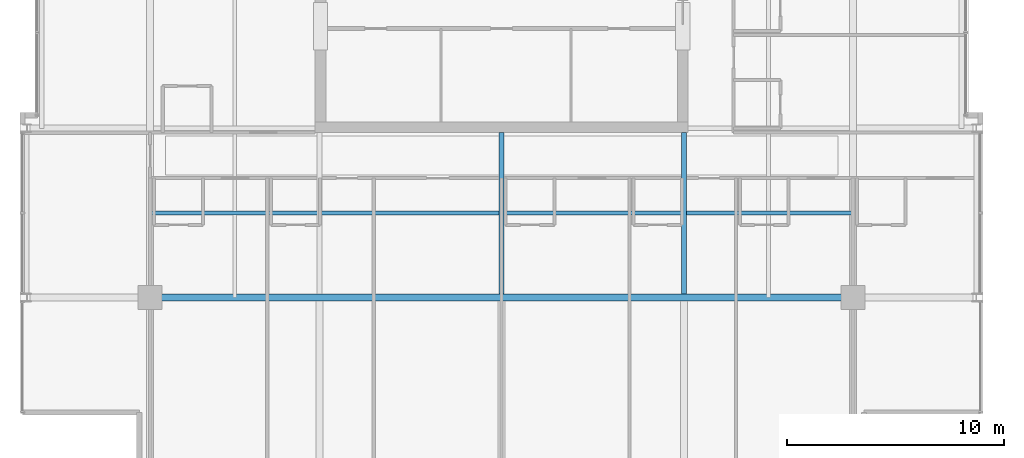
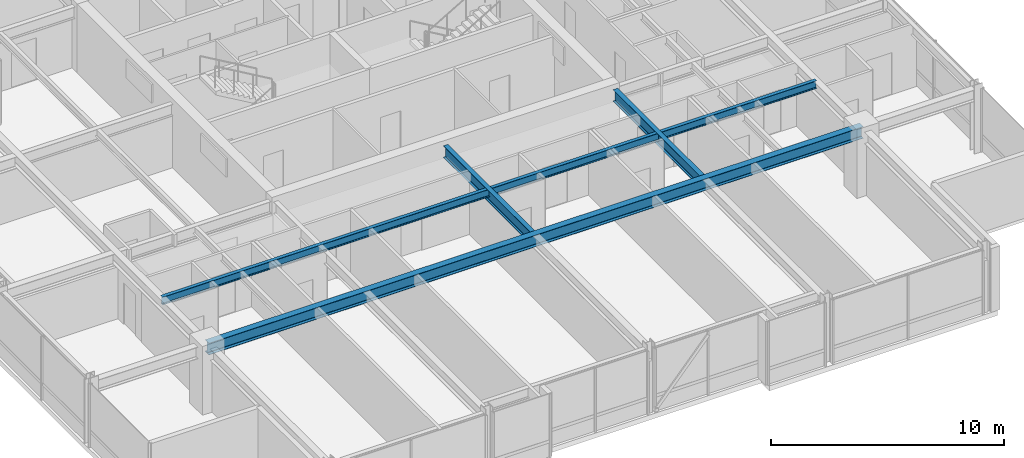
# One storey, part 7 of 33: 4 beams.
"""IFC4 building model written with IfcOpenShell, lengths in metres."""

from ifc_helpers import new_model, si_unit, direction, frame, origin, origin_2d, place, context, subcontext, project, spatial, i_section, extrude, material, material_profile, profile_set, type_object, element, save


model = new_model("IFC4")

# Units and contexts
model_context = context("Model", 3, precision=1e-05, world=origin(), true_north=direction((0.0, 1.0)))
body_context = subcontext(model_context, "Body", "Model", "MODEL_VIEW")
ifc_project = project(units=[si_unit("LENGTHUNIT", "METRE"), si_unit("AREAUNIT", "SQUARE_METRE"), si_unit("VOLUMEUNIT", "CUBIC_METRE"), si_unit("PLANEANGLEUNIT", "RADIAN"), si_unit("MASSUNIT", "GRAM", prefix="KILO")], contexts=[model_context])

# Site, building, storey
site_placement = place(None, origin())
site = spatial("IfcSite", under=ifc_project, at=site_placement, CompositionType="ELEMENT")
building_placement = place(site_placement, origin())
building = spatial("IfcBuilding", under=site, at=building_placement, Name="Drelvath Grand Hotel", CompositionType="ELEMENT")
storey_placement = place(building_placement, frame((0.0, 0.0, 212.300048828125)))
storey = spatial("IfcBuildingStorey", under=building, at=storey_placement, Name="L55", CompositionType="ELEMENT", Elevation=212.300048828125)

# Beams
ifc_material = material(Name="Steel ASTM A992 Gr 50", Category="steel")
ifc_material_profile_1 = material_profile(ifc_material, i_section(OverallWidth=0.177734375, OverallDepth=0.40673828125, WebThickness=0.0078125, FlangeThickness=0.0126953125, FilletRadius=0.014892578125, at=origin_2d()), Name="W16X40")
ifc_profile_set_1 = profile_set([ifc_material_profile_1], Name="Steel ASTM A992 Gr 50")
beam_type_1 = type_object("IfcBeamType", Name="Composite Floor Joist W16X40", PredefinedType="JOIST", material=ifc_profile_set_1)
beam_1_placement = place(storey_placement, frame((-16.199951171875, 14.699951171875, 3.136474609375), z_axis=(1.0, 0.0, 0.0), x_axis=(0.0, 1.0, 0.0)))
element("IfcBeam", 1, at=beam_1_placement, inside=storey, type_object=beam_type_1, Name="L55 Floor Joist J1", PredefinedType="JOIST", context=body_context, shape_type="SweptSolid", body=[
    extrude(i_section(OverallWidth=0.177734375, OverallDepth=0.40673828125, WebThickness=0.0078125, FlangeThickness=0.0126953125, FilletRadius=0.014892578125, at=origin_2d()), origin(), (0.0, 0.0, 1.0), 32.39990234375),
])
ifc_material_profile_2 = material_profile(ifc_material, i_section(OverallWidth=0.323974609375, OverallDepth=0.611083984375, WebThickness=0.0126953125, FlangeThickness=0.01904296875, FilletRadius=0.02197265625, at=origin_2d()), Name="W24X104")
ifc_profile_set_2 = profile_set([ifc_material_profile_2], Name="Steel ASTM A992 Gr 50")
beam_type_2 = type_object("IfcBeamType", Name="Primary Floor Girder W24X104", PredefinedType="BEAM", material=ifc_profile_set_2)
beam_2_placement = place(storey_placement, frame((-16.199951171875, 10.800048828125, 3.034423828125), z_axis=(1.0, 0.0, 0.0), x_axis=(0.0, 1.0, 0.0)))
element("IfcBeam", 2, at=beam_2_placement, inside=storey, type_object=beam_type_2, Name="L55 Mega Ring Girder South", PredefinedType="BEAM", context=body_context, shape_type="SweptSolid", body=[
    extrude(i_section(OverallWidth=0.323974609375, OverallDepth=0.611083984375, WebThickness=0.0126953125, FlangeThickness=0.01904296875, FilletRadius=0.02197265625, at=origin_2d()), origin(), (0.0, 0.0, 1.0), 32.39990234375),
])
ifc_material_profile_3 = material_profile(ifc_material, i_section(OverallWidth=0.228271484375, OverallDepth=0.607666015625, WebThickness=0.01123046875, FlangeThickness=0.017333984375, FilletRadius=0.02001953125, at=origin_2d()), Name="W24X76")
ifc_profile_set_3 = profile_set([ifc_material_profile_3], Name="Steel ASTM A992 Gr 50")
beam_type_3 = type_object("IfcBeamType", Name="Primary Floor Girder W24X76", PredefinedType="BEAM", material=ifc_profile_set_3)
for number, where, z_axis, x_axis, name in (
    (3, (0.0, 10.9619140625, 3.0361328125), (0.0, 1.0, 0.0), (-1.0, 0.0, 0.0), "L55 South Core Tie 5"),
    (4, (8.39990234375, 10.9619140625, 3.0361328125), (0.0, 1.0, 0.0), (-1.0, 0.0, 0.0), "L55 South Core Tie 6"),
):
    element("IfcBeam", number, at=place(storey_placement, frame(where, z_axis=z_axis, x_axis=x_axis)), inside=storey, type_object=beam_type_3, Name=name, PredefinedType="BEAM", context=body_context, shape_type="SweptSolid", body=[
        extrude(i_section(OverallWidth=0.228271484375, OverallDepth=0.607666015625, WebThickness=0.01123046875, FlangeThickness=0.017333984375, FilletRadius=0.02001953125, at=origin_2d()), origin(), (0.0, 0.0, 1.0), 7.43798828125),
    ])

save(model, "model.ifc")
